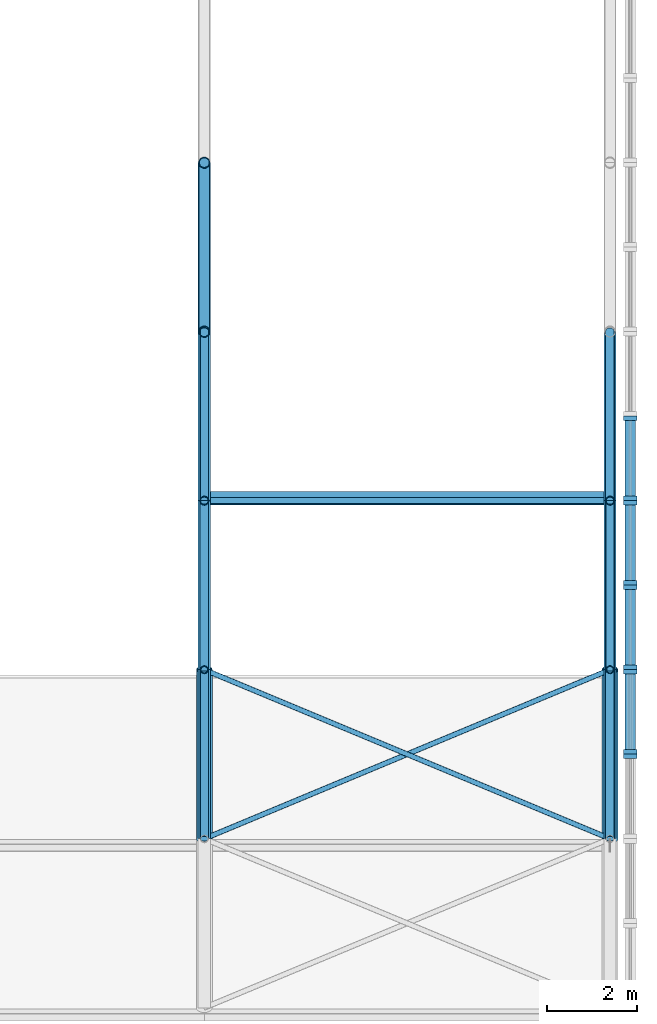
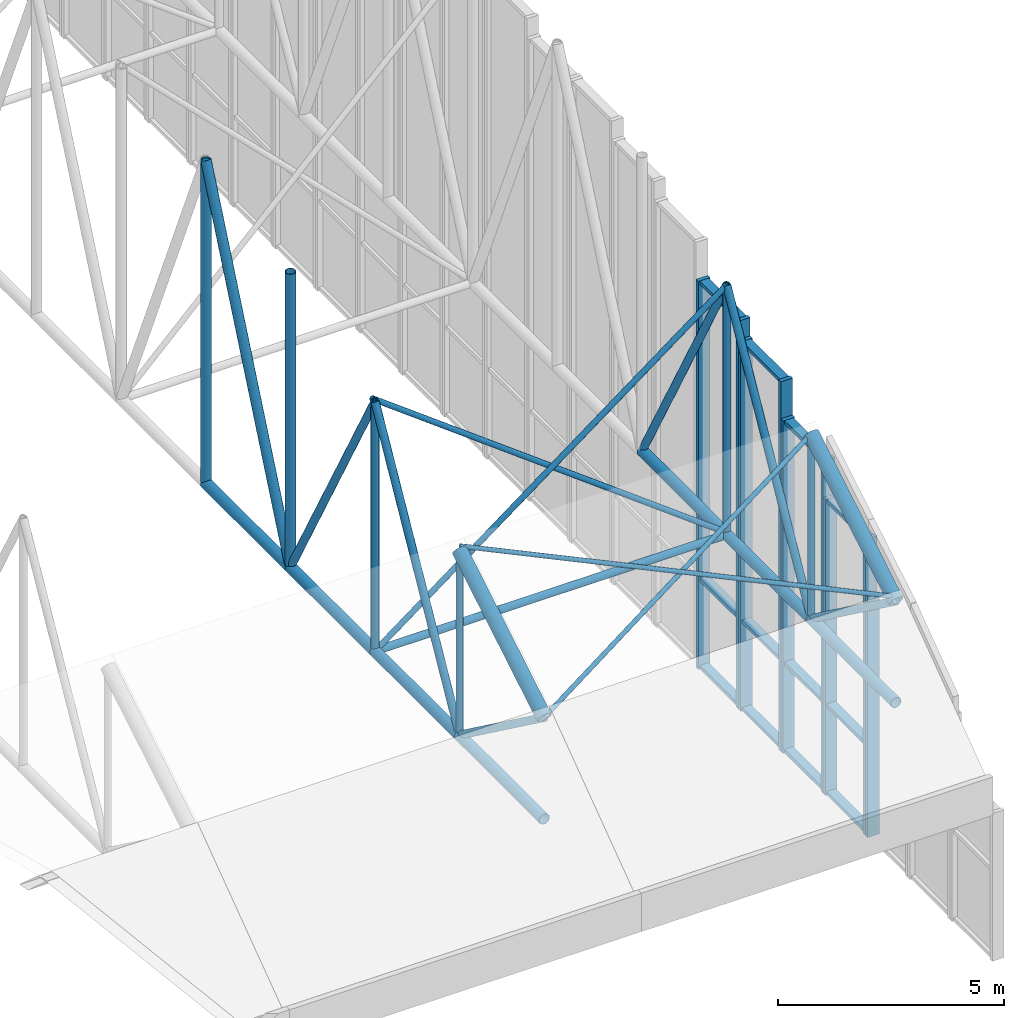
# One storey, part 63 of 153: 48 members, 5 elements without a shape of their own.
"""IFC4 building model written with IfcOpenShell, lengths in metres."""

from ifc_helpers import new_model, si_unit, direction, frame, origin, origin_2d, place, context, subcontext, project, spatial, rectangle, hollow_circle, extrude, material, material_profile, profile_set, type_object, element, aggregate, save


model = new_model("IFC4")

# Units and contexts
model_context = context("Model", 3, precision=1e-05, world=origin(), true_north=direction((0.0, 1.0)))
body_context = subcontext(model_context, "Body", "Model", "MODEL_VIEW")
ifc_project = project(units=[si_unit("LENGTHUNIT", "METRE"), si_unit("AREAUNIT", "SQUARE_METRE"), si_unit("VOLUMEUNIT", "CUBIC_METRE"), si_unit("PLANEANGLEUNIT", "RADIAN"), si_unit("MASSUNIT", "GRAM", prefix="KILO")], contexts=[model_context])

# Site, building, storey
site_placement = place(None, origin())
site = spatial("IfcSite", under=ifc_project, at=site_placement, CompositionType="ELEMENT")
building_placement = place(site_placement, origin())
building = spatial("IfcBuilding", under=site, at=building_placement, Name="Baradari Gate Terminus", CompositionType="ELEMENT")
storey_placement = place(building_placement, frame((0.0, 0.0, 11.699951171875)))
storey = spatial("IfcBuildingStorey", under=building, at=storey_placement, Name="L02", CompositionType="ELEMENT", Elevation=11.699951171875)

# Curtain wall, member
ifc_material_1 = material(Name="Aluminium 6063-T6", Category="aluminium")
curtain_wall_type_1 = type_object("IfcCurtainWallType", Name="Curtain wall CW-16 gable screen, other height", PredefinedType="NOTDEFINED", material=ifc_material_1)
curtain_wall_1_placement = place(storey_placement, origin())
curtain_wall_1 = element("IfcCurtainWall", 1, at=curtain_wall_1_placement, inside=storey, type_object=curtain_wall_type_1, Name="Gable glazing curtain wall CW-16 cell 02a", PredefinedType="NOTDEFINED")
ifc_material_2 = material(Name="Aluminium 6063-T6", Category="aluminium")
ifc_material_profile_1 = material_profile(ifc_material_2, rectangle(XDim=0.300048828125, YDim=0.10009765625, at=origin_2d()), Name="CM-16 100X300")
ifc_profile_set_1 = profile_set([ifc_material_profile_1], Name="Aluminium 6063-T6")
member_type_1 = type_object("IfcMemberType", Name="Curtain wall mullion CM-16 100x300", PredefinedType="MULLION", material=ifc_profile_set_1)
member_1_placement = place(storey_placement, frame((243.449951171875, 41.574951171875, -4.699951171875), z_axis=(0.0, 0.0, 1.0), x_axis=(-1.0, 0.0, 0.0)))
member_1 = element("IfcMember", 2, at=member_1_placement, type_object=member_type_1, Name="CW-16 mullion 2", PredefinedType="MULLION", context=body_context, shape_type="SweptSolid", body=[
    extrude(rectangle(XDim=0.300048828125, YDim=0.10009765625, at=origin_2d()), origin(), (0.0, 0.0, 1.0), 6.5),
])
aggregate(curtain_wall_1, [member_1])

# Curtain wall, members
ifc_material_3 = material(Name="Aluminium 6063-T6", Category="aluminium")
curtain_wall_type_2 = type_object("IfcCurtainWallType", Name="Curtain wall CW-17 gable screen, other height", PredefinedType="NOTDEFINED", material=ifc_material_3)
curtain_wall_2_placement = place(storey_placement, origin())
curtain_wall_2 = element("IfcCurtainWall", 3, at=curtain_wall_2_placement, inside=storey, type_object=curtain_wall_type_2, Name="Gable glazing curtain wall CW-17 cell 02b", PredefinedType="NOTDEFINED")
ifc_material_4 = material(Name="Aluminium 6063-T6", Category="aluminium")
ifc_material_profile_2 = material_profile(ifc_material_4, rectangle(XDim=0.300048828125, YDim=0.10009765625, at=origin_2d()), Name="CM-17 100X300")
ifc_profile_set_2 = profile_set([ifc_material_profile_2], Name="Aluminium 6063-T6")
member_type_2 = type_object("IfcMemberType", Name="Curtain wall mullion CM-17 100x300", PredefinedType="MULLION", material=ifc_profile_set_2)
member_2_placement = place(storey_placement, frame((243.449951171875, 41.675048828125, -4.699951171875), z_axis=(0.0, 0.0, 1.0), x_axis=(-1.0, 0.0, 0.0)))
member_2 = element("IfcMember", 4, at=member_2_placement, type_object=member_type_2, Name="CW-17 mullion 1", PredefinedType="MULLION", context=body_context, shape_type="SweptSolid", body=[
    extrude(rectangle(XDim=0.300048828125, YDim=0.10009765625, at=origin_2d()), origin(), (0.0, 0.0, 1.0), 8.0),
])
member_3_placement = place(storey_placement, frame((243.449951171875, 43.449951171875, -4.699951171875), z_axis=(0.0, 0.0, 1.0), x_axis=(-1.0, 0.0, 0.0)))
member_3 = element("IfcMember", 5, at=member_3_placement, type_object=member_type_2, Name="CW-17 mullion 2", PredefinedType="MULLION", context=body_context, shape_type="SweptSolid", body=[
    extrude(rectangle(XDim=0.300048828125, YDim=0.10009765625, at=origin_2d()), origin(), (0.0, 0.0, 1.0), 8.0),
])

ifc_material_5 = material(Name="Aluminium 6063-T6", Category="aluminium")
curtain_wall_type_3 = type_object("IfcCurtainWallType", Name="Curtain wall CW-18 gable screen, other height", PredefinedType="NOTDEFINED", material=ifc_material_5)
curtain_wall_3_placement = place(storey_placement, origin())
curtain_wall_3 = element("IfcCurtainWall", 6, at=curtain_wall_3_placement, inside=storey, type_object=curtain_wall_type_3, Name="Gable glazing curtain wall CW-18 cell 03a", PredefinedType="NOTDEFINED")
ifc_material_6 = material(Name="Aluminium 6063-T6", Category="aluminium")
ifc_material_profile_3 = material_profile(ifc_material_6, rectangle(XDim=0.300048828125, YDim=0.10009765625, at=origin_2d()), Name="CM-18 100X300")
ifc_profile_set_3 = profile_set([ifc_material_profile_3], Name="Aluminium 6063-T6")
member_type_3 = type_object("IfcMemberType", Name="Curtain wall mullion CM-18 100x300", PredefinedType="MULLION", material=ifc_profile_set_3)
member_4_placement = place(storey_placement, frame((243.449951171875, 43.550048828125, -4.699951171875), z_axis=(0.0, 0.0, 1.0), x_axis=(-1.0, 0.0, 0.0)))
member_4 = element("IfcMember", 7, at=member_4_placement, type_object=member_type_3, Name="CW-18 mullion 1", PredefinedType="MULLION", context=body_context, shape_type="SweptSolid", body=[
    extrude(rectangle(XDim=0.300048828125, YDim=0.10009765625, at=origin_2d()), origin(), (0.0, 0.0, 1.0), 9.0),
])
member_5_placement = place(storey_placement, frame((243.449951171875, 45.324951171875, -4.699951171875), z_axis=(0.0, 0.0, 1.0), x_axis=(-1.0, 0.0, 0.0)))
member_5 = element("IfcMember", 8, at=member_5_placement, type_object=member_type_3, Name="CW-18 mullion 2", PredefinedType="MULLION", context=body_context, shape_type="SweptSolid", body=[
    extrude(rectangle(XDim=0.300048828125, YDim=0.10009765625, at=origin_2d()), origin(), (0.0, 0.0, 1.0), 9.0),
])

ifc_material_7 = material(Name="Aluminium 6063-T6", Category="aluminium")
curtain_wall_type_4 = type_object("IfcCurtainWallType", Name="Curtain wall CW-19 gable screen, other height", PredefinedType="NOTDEFINED", material=ifc_material_7)
curtain_wall_4_placement = place(storey_placement, origin())
curtain_wall_4 = element("IfcCurtainWall", 9, at=curtain_wall_4_placement, inside=storey, type_object=curtain_wall_type_4, Name="Gable glazing curtain wall CW-19 cell 03b", PredefinedType="NOTDEFINED")
ifc_material_8 = material(Name="Aluminium 6063-T6", Category="aluminium")
ifc_material_profile_4 = material_profile(ifc_material_8, rectangle(XDim=0.300048828125, YDim=0.10009765625, at=origin_2d()), Name="CM-19 100X300")
ifc_profile_set_4 = profile_set([ifc_material_profile_4], Name="Aluminium 6063-T6")
member_type_4 = type_object("IfcMemberType", Name="Curtain wall mullion CM-19 100x300", PredefinedType="MULLION", material=ifc_profile_set_4)
member_6_placement = place(storey_placement, frame((243.449951171875, 45.425048828125, -4.699951171875), z_axis=(0.0, 0.0, 1.0), x_axis=(-1.0, 0.0, 0.0)))
member_6 = element("IfcMember", 10, at=member_6_placement, type_object=member_type_4, Name="CW-19 mullion 1", PredefinedType="MULLION", context=body_context, shape_type="SweptSolid", body=[
    extrude(rectangle(XDim=0.300048828125, YDim=0.10009765625, at=origin_2d()), origin(), (0.0, 0.0, 1.0), 10.0),
])
member_7_placement = place(storey_placement, frame((243.449951171875, 47.199951171875, -4.699951171875), z_axis=(0.0, 0.0, 1.0), x_axis=(-1.0, 0.0, 0.0)))
member_7 = element("IfcMember", 11, at=member_7_placement, type_object=member_type_4, Name="CW-19 mullion 2", PredefinedType="MULLION", context=body_context, shape_type="SweptSolid", body=[
    extrude(rectangle(XDim=0.300048828125, YDim=0.10009765625, at=origin_2d()), origin(), (0.0, 0.0, 1.0), 10.0),
])

ifc_material_9 = material(Name="Aluminium 6063-T6", Category="aluminium")
curtain_wall_type_5 = type_object("IfcCurtainWallType", Name="Curtain wall CW-20 gable screen, other height", PredefinedType="NOTDEFINED", material=ifc_material_9)
curtain_wall_5_placement = place(storey_placement, origin())
curtain_wall_5 = element("IfcCurtainWall", 12, at=curtain_wall_5_placement, inside=storey, type_object=curtain_wall_type_5, Name="Gable glazing curtain wall CW-20 cell 04a", PredefinedType="NOTDEFINED")
ifc_material_10 = material(Name="Aluminium 6063-T6", Category="aluminium")
ifc_material_profile_5 = material_profile(ifc_material_10, rectangle(XDim=0.300048828125, YDim=0.10009765625, at=origin_2d()), Name="CM-20 100X300")
ifc_profile_set_5 = profile_set([ifc_material_profile_5], Name="Aluminium 6063-T6")
member_type_5 = type_object("IfcMemberType", Name="Curtain wall mullion CM-20 100x300", PredefinedType="MULLION", material=ifc_profile_set_5)
member_8_placement = place(storey_placement, frame((243.449951171875, 47.300048828125, -4.699951171875), z_axis=(0.0, 0.0, 1.0), x_axis=(-1.0, 0.0, 0.0)))
member_8 = element("IfcMember", 13, at=member_8_placement, type_object=member_type_5, Name="CW-20 mullion 1", PredefinedType="MULLION", context=body_context, shape_type="SweptSolid", body=[
    extrude(rectangle(XDim=0.300048828125, YDim=0.10009765625, at=origin_2d()), origin(), (0.0, 0.0, 1.0), 10.5),
])
member_9_placement = place(storey_placement, frame((243.449951171875, 49.074951171875, -4.699951171875), z_axis=(0.0, 0.0, 1.0), x_axis=(-1.0, 0.0, 0.0)))
member_9 = element("IfcMember", 14, at=member_9_placement, type_object=member_type_5, Name="CW-20 mullion 2", PredefinedType="MULLION", context=body_context, shape_type="SweptSolid", body=[
    extrude(rectangle(XDim=0.300048828125, YDim=0.10009765625, at=origin_2d()), origin(), (0.0, 0.0, 1.0), 10.5),
])

# Member
ifc_material_11 = material(Name="Aluminium 6063-T6", Category="aluminium")
ifc_material_profile_6 = material_profile(ifc_material_11, rectangle(XDim=0.22509765625, YDim=0.10009765625, at=origin_2d()), Name="CT-17 100X225")
ifc_profile_set_6 = profile_set([ifc_material_profile_6], Name="Aluminium 6063-T6")
member_type_6 = type_object("IfcMemberType", Name="Curtain wall transom CT-17 100x225", PredefinedType="USERDEFINED", material=ifc_profile_set_6)
member_10_placement = place(storey_placement, frame((243.449951171875, 41.72509765625, -4.64990234375), z_axis=(0.0, 1.0, 0.0), x_axis=(-1.0, 0.0, 0.0)))
member_10 = element("IfcMember", 15, at=member_10_placement, type_object=member_type_6, Name="CW-17 transom 1.1", ObjectType="TRANSOM", PredefinedType="USERDEFINED", context=body_context, shape_type="SweptSolid", body=[
    extrude(rectangle(XDim=0.22509765625, YDim=0.10009765625, at=origin_2d()), origin(), (0.0, 0.0, 1.0), 1.6748046875),
])

member_11_placement = place(storey_placement, frame((243.449951171875, 41.72509765625, -2.28173828125), z_axis=(0.0, 1.0, 0.0), x_axis=(-1.0, 0.0, 0.0)))
member_11 = element("IfcMember", 16, at=member_11_placement, type_object=member_type_6, Name="CW-17 transom 1.2", ObjectType="TRANSOM", PredefinedType="USERDEFINED", context=body_context, shape_type="SweptSolid", body=[
    extrude(rectangle(XDim=0.22509765625, YDim=0.10009765625, at=origin_2d()), origin(), (0.0, 0.0, 1.0), 1.6748046875),
])

member_12_placement = place(storey_placement, frame((243.449951171875, 41.72509765625, 3.25), z_axis=(0.0, 1.0, 0.0), x_axis=(-1.0, 0.0, 0.0)))
member_12 = element("IfcMember", 17, at=member_12_placement, type_object=member_type_6, Name="CW-17 transom 1.3", ObjectType="TRANSOM", PredefinedType="USERDEFINED", context=body_context, shape_type="SweptSolid", body=[
    extrude(rectangle(XDim=0.22509765625, YDim=0.10009765625, at=origin_2d()), origin(), (0.0, 0.0, 1.0), 1.6748046875),
])

aggregate(curtain_wall_2, [member_2, member_3, member_10, member_11, member_12])

ifc_material_12 = material(Name="Aluminium 6063-T6", Category="aluminium")
ifc_material_profile_7 = material_profile(ifc_material_12, rectangle(XDim=0.22509765625, YDim=0.10009765625, at=origin_2d()), Name="CT-18 100X225")
ifc_profile_set_7 = profile_set([ifc_material_profile_7], Name="Aluminium 6063-T6")
member_type_7 = type_object("IfcMemberType", Name="Curtain wall transom CT-18 100x225", PredefinedType="USERDEFINED", material=ifc_profile_set_7)
member_13_placement = place(storey_placement, frame((243.449951171875, 43.60009765625, -4.64990234375), z_axis=(0.0, 1.0, 0.0), x_axis=(-1.0, 0.0, 0.0)))
member_13 = element("IfcMember", 18, at=member_13_placement, type_object=member_type_7, Name="CW-18 transom 1.1", ObjectType="TRANSOM", PredefinedType="USERDEFINED", context=body_context, shape_type="SweptSolid", body=[
    extrude(rectangle(XDim=0.22509765625, YDim=0.10009765625, at=origin_2d()), origin(), (0.0, 0.0, 1.0), 1.6748046875),
])

member_14_placement = place(storey_placement, frame((243.449951171875, 43.60009765625, -2.28173828125), z_axis=(0.0, 1.0, 0.0), x_axis=(-1.0, 0.0, 0.0)))
member_14 = element("IfcMember", 19, at=member_14_placement, type_object=member_type_7, Name="CW-18 transom 1.2", ObjectType="TRANSOM", PredefinedType="USERDEFINED", context=body_context, shape_type="SweptSolid", body=[
    extrude(rectangle(XDim=0.22509765625, YDim=0.10009765625, at=origin_2d()), origin(), (0.0, 0.0, 1.0), 1.6748046875),
])

member_15_placement = place(storey_placement, frame((243.449951171875, 43.60009765625, 4.25), z_axis=(0.0, 1.0, 0.0), x_axis=(-1.0, 0.0, 0.0)))
member_15 = element("IfcMember", 20, at=member_15_placement, type_object=member_type_7, Name="CW-18 transom 1.3", ObjectType="TRANSOM", PredefinedType="USERDEFINED", context=body_context, shape_type="SweptSolid", body=[
    extrude(rectangle(XDim=0.22509765625, YDim=0.10009765625, at=origin_2d()), origin(), (0.0, 0.0, 1.0), 1.6748046875),
])

aggregate(curtain_wall_3, [member_4, member_5, member_13, member_14, member_15])

ifc_material_13 = material(Name="Aluminium 6063-T6", Category="aluminium")
ifc_material_profile_8 = material_profile(ifc_material_13, rectangle(XDim=0.22509765625, YDim=0.10009765625, at=origin_2d()), Name="CT-19 100X225")
ifc_profile_set_8 = profile_set([ifc_material_profile_8], Name="Aluminium 6063-T6")
member_type_8 = type_object("IfcMemberType", Name="Curtain wall transom CT-19 100x225", PredefinedType="USERDEFINED", material=ifc_profile_set_8)
member_16_placement = place(storey_placement, frame((243.449951171875, 45.47509765625, -4.64990234375), z_axis=(0.0, 1.0, 0.0), x_axis=(-1.0, 0.0, 0.0)))
member_16 = element("IfcMember", 21, at=member_16_placement, type_object=member_type_8, Name="CW-19 transom 1.1", ObjectType="TRANSOM", PredefinedType="USERDEFINED", context=body_context, shape_type="SweptSolid", body=[
    extrude(rectangle(XDim=0.22509765625, YDim=0.10009765625, at=origin_2d()), origin(), (0.0, 0.0, 1.0), 1.6748046875),
])

member_17_placement = place(storey_placement, frame((243.449951171875, 45.47509765625, -2.28173828125), z_axis=(0.0, 1.0, 0.0), x_axis=(-1.0, 0.0, 0.0)))
member_17 = element("IfcMember", 22, at=member_17_placement, type_object=member_type_8, Name="CW-19 transom 1.2", ObjectType="TRANSOM", PredefinedType="USERDEFINED", context=body_context, shape_type="SweptSolid", body=[
    extrude(rectangle(XDim=0.22509765625, YDim=0.10009765625, at=origin_2d()), origin(), (0.0, 0.0, 1.0), 1.6748046875),
])

member_18_placement = place(storey_placement, frame((243.449951171875, 45.47509765625, 5.25), z_axis=(0.0, 1.0, 0.0), x_axis=(-1.0, 0.0, 0.0)))
member_18 = element("IfcMember", 23, at=member_18_placement, type_object=member_type_8, Name="CW-19 transom 1.3", ObjectType="TRANSOM", PredefinedType="USERDEFINED", context=body_context, shape_type="SweptSolid", body=[
    extrude(rectangle(XDim=0.22509765625, YDim=0.10009765625, at=origin_2d()), origin(), (0.0, 0.0, 1.0), 1.6748046875),
])

aggregate(curtain_wall_4, [member_6, member_7, member_16, member_17, member_18])

ifc_material_14 = material(Name="Aluminium 6063-T6", Category="aluminium")
ifc_material_profile_9 = material_profile(ifc_material_14, rectangle(XDim=0.22509765625, YDim=0.10009765625, at=origin_2d()), Name="CT-20 100X225")
ifc_profile_set_9 = profile_set([ifc_material_profile_9], Name="Aluminium 6063-T6")
member_type_9 = type_object("IfcMemberType", Name="Curtain wall transom CT-20 100x225", PredefinedType="USERDEFINED", material=ifc_profile_set_9)
member_19_placement = place(storey_placement, frame((243.449951171875, 47.35009765625, -4.64990234375), z_axis=(0.0, 1.0, 0.0), x_axis=(-1.0, 0.0, 0.0)))
member_19 = element("IfcMember", 24, at=member_19_placement, type_object=member_type_9, Name="CW-20 transom 1.1", ObjectType="TRANSOM", PredefinedType="USERDEFINED", context=body_context, shape_type="SweptSolid", body=[
    extrude(rectangle(XDim=0.22509765625, YDim=0.10009765625, at=origin_2d()), origin(), (0.0, 0.0, 1.0), 1.6748046875),
])

member_20_placement = place(storey_placement, frame((243.449951171875, 47.35009765625, -2.28173828125), z_axis=(0.0, 1.0, 0.0), x_axis=(-1.0, 0.0, 0.0)))
member_20 = element("IfcMember", 25, at=member_20_placement, type_object=member_type_9, Name="CW-20 transom 1.2", ObjectType="TRANSOM", PredefinedType="USERDEFINED", context=body_context, shape_type="SweptSolid", body=[
    extrude(rectangle(XDim=0.22509765625, YDim=0.10009765625, at=origin_2d()), origin(), (0.0, 0.0, 1.0), 1.6748046875),
])

member_21_placement = place(storey_placement, frame((243.449951171875, 47.35009765625, 5.75), z_axis=(0.0, 1.0, 0.0), x_axis=(-1.0, 0.0, 0.0)))
member_21 = element("IfcMember", 26, at=member_21_placement, type_object=member_type_9, Name="CW-20 transom 1.3", ObjectType="TRANSOM", PredefinedType="USERDEFINED", context=body_context, shape_type="SweptSolid", body=[
    extrude(rectangle(XDim=0.22509765625, YDim=0.10009765625, at=origin_2d()), origin(), (0.0, 0.0, 1.0), 1.6748046875),
])

aggregate(curtain_wall_5, [member_8, member_9, member_19, member_20, member_21])

# Members
ifc_material_15 = material(Name="Steel S355", Category="steel")
ifc_material_profile_10 = material_profile(ifc_material_15, hollow_circle(Radius=0.136474609375, WallThickness=0.012451171875, at=origin_2d()), Name="CHS 273x12.5")
ifc_profile_set_10 = profile_set([ifc_material_profile_10], Name="Steel S355")
member_type_10 = type_object("IfcMemberType", Name="Shed bottom chord CHS 273x12.5", PredefinedType="CHORD", material=ifc_profile_set_10)
for number, where, z_axis, x_axis, name in (
    (27, (234.0, 39.75, 0.136474609375), (0.0, 1.0, 0.0), (-1.0, 0.0, 0.0), "TR/L02/S234-BC01"),
    (28, (234.0, 43.5, 0.136474609375), (0.0, 1.0, 0.0), (-1.0, 0.0, 0.0), "TR/L02/S234-BC02"),
    (29, (234.0, 47.25, 0.136474609375), (0.0, 1.0, 0.0), (-1.0, 0.0, 0.0), "TR/L02/S234-BC03"),
    (30, (234.0, 51.0, 0.136474609375), (0.0, 1.0, 0.0), (-1.0, 0.0, 0.0), "TR/L02/S234-BC04"),
    (31, (243.0, 39.75, 0.136474609375), (0.0, 1.0, 0.0), (-1.0, 0.0, 0.0), "TR/L02/S243-BC01"),
    (32, (243.0, 43.5, 0.136474609375), (0.0, 1.0, 0.0), (-1.0, 0.0, 0.0), "TR/L02/S243-BC02"),
    (33, (243.0, 47.25, 0.136474609375), (0.0, 1.0, 0.0), (-1.0, 0.0, 0.0), "TR/L02/S243-BC03"),
):
    element("IfcMember", number, at=place(storey_placement, frame(where, z_axis=z_axis, x_axis=x_axis)), inside=storey, type_object=member_type_10, Name=name, PredefinedType="CHORD", context=body_context, shape_type="SweptSolid", body=[
        extrude(hollow_circle(Radius=0.136474609375, WallThickness=0.012451171875, at=origin_2d()), origin(), (0.0, 0.0, 1.0), 3.75),
    ])
ifc_material_16 = material(Name="Steel S355", Category="steel")
ifc_material_profile_11 = material_profile(ifc_material_16, hollow_circle(Radius=0.096923828125, WallThickness=0.008056640625, at=origin_2d()), Name="CHS 193.7x8")
ifc_profile_set_11 = profile_set([ifc_material_profile_11], Name="Steel S355")
member_type_11 = type_object("IfcMemberType", Name="Shed bottom strut CHS 193.7x8", PredefinedType="STRUT", material=ifc_profile_set_11)
member_22_placement = place(storey_placement, frame((234.0, 47.25, 0.136474609375), z_axis=(1.0, 0.0, 0.0), x_axis=(0.0, 1.0, 0.0)))
element("IfcMember", 34, at=member_22_placement, inside=storey, type_object=member_type_11, Name="TR/L02/B243-ST03", PredefinedType="STRUT", context=body_context, shape_type="SweptSolid", body=[
    extrude(hollow_circle(Radius=0.096923828125, WallThickness=0.008056640625, at=origin_2d()), origin(), (0.0, 0.0, 1.0), 9.0),
])
ifc_material_17 = material(Name="Steel S355", Category="steel")
ifc_material_profile_12 = material_profile(ifc_material_17, hollow_circle(Radius=0.05712890625, WallThickness=0.00634765625, at=origin_2d()), Name="CHS 114.3x6.3")
ifc_profile_set_12 = profile_set([ifc_material_profile_12], Name="Steel S355")
member_type_12 = type_object("IfcMemberType", Name="Shed roof brace CHS 114.3x6.3", PredefinedType="BRACE", material=ifc_profile_set_12)
for number, where, z_axis, x_axis, name in (
    (35, (234.0, 39.75, 2.886474609375), (0.899438026795, 0.374765844498, 0.224859506699), (-0.384615384615, 0.923076923077, 0.0), "TR/L02/B243-RB01A"),
    (36, (243.0, 39.75, 3.000732421875), (-0.899438026795, 0.374765844498, 0.224859506699), (-0.384615384615, -0.923076923077, 0.0), "TR/L02/B243-RB01B"),
):
    element("IfcMember", number, at=place(storey_placement, frame(where, z_axis=z_axis, x_axis=x_axis)), inside=storey, type_object=member_type_12, Name=name, PredefinedType="BRACE", context=body_context, shape_type="SweptSolid", body=[
        extrude(hollow_circle(Radius=0.05712890625, WallThickness=0.00634765625, at=origin_2d()), origin(), (0.0, 0.0, 1.0), 10.00634765625),
    ])
ifc_material_18 = material(Name="Steel S355", Category="steel")
ifc_material_profile_13 = material_profile(ifc_material_18, hollow_circle(Radius=0.177734375, WallThickness=0.01611328125, at=origin_2d()), Name="CHS 355.6x16")
ifc_profile_set_13 = profile_set([ifc_material_profile_13], Name="Steel S355")
member_type_13 = type_object("IfcMemberType", Name="Shed top chord CHS 355.6x16", PredefinedType="CHORD", material=ifc_profile_set_13)
for number, where, z_axis, x_axis, name in (
    (37, (234.0, 39.75, 2.886474609375), (0.0, 0.857492925713, 0.514495755428), (-1.0, 0.0, 0.0), "TR/L02/S234-TC01"),
    (38, (243.0, 39.75, 2.886474609375), (0.0, 0.857492925713, 0.514495755428), (-1.0, 0.0, 0.0), "TR/L02/S243-TC01"),
):
    element("IfcMember", number, at=place(storey_placement, frame(where, z_axis=z_axis, x_axis=x_axis)), inside=storey, type_object=member_type_13, Name=name, PredefinedType="CHORD", context=body_context, shape_type="SweptSolid", body=[
        extrude(hollow_circle(Radius=0.177734375, WallThickness=0.01611328125, at=origin_2d()), origin(), (0.0, 0.0, 1.0), 4.373291015625),
    ])
ifc_material_19 = material(Name="Steel S355", Category="steel")
ifc_material_profile_14 = material_profile(ifc_material_19, hollow_circle(Radius=0.096923828125, WallThickness=0.008056640625, at=origin_2d()), Name="CHS 193.7x8")
ifc_profile_set_14 = profile_set([ifc_material_profile_14], Name="Steel S355")
member_type_14 = type_object("IfcMemberType", Name="Shed truss diagonal CHS 193.7x8", PredefinedType="BRACE", material=ifc_profile_set_14)
member_23_placement = place(storey_placement, frame((234.0, 39.75, 2.886474609375), z_axis=(0.0, 0.806404995856, -0.591363663628), x_axis=(-1.0, 0.0, 0.0)))
element("IfcMember", 39, at=member_23_placement, inside=storey, type_object=member_type_14, Name="TR/L02/S234-SD01", PredefinedType="BRACE", context=body_context, shape_type="SweptSolid", body=[
    extrude(hollow_circle(Radius=0.096923828125, WallThickness=0.008056640625, at=origin_2d()), origin(), (0.0, 0.0, 1.0), 4.650390625),
])
for number, where, z_axis, x_axis, name in (
    (40, (234.0, 47.25, 6.886474609375), (0.0, -0.485642931179, -0.874157276122), (1.0, 0.0, 0.0), "TR/L02/S234-SD02"),
    (41, (234.0, 47.25, 6.886474609375), (0.0, 0.485642931179, -0.874157276122), (-1.0, 0.0, 0.0), "TR/L02/S234-SD03"),
):
    element("IfcMember", number, at=place(storey_placement, frame(where, z_axis=z_axis, x_axis=x_axis)), inside=storey, type_object=member_type_14, Name=name, PredefinedType="BRACE", context=body_context, shape_type="SweptSolid", body=[
        extrude(hollow_circle(Radius=0.096923828125, WallThickness=0.008056640625, at=origin_2d()), origin(), (0.0, 0.0, 1.0), 7.7216796875),
    ])
member_24_placement = place(storey_placement, frame((243.0, 39.75, 2.886474609375), z_axis=(0.0, 0.806404995856, -0.591363663628), x_axis=(-1.0, 0.0, 0.0)))
element("IfcMember", 42, at=member_24_placement, inside=storey, type_object=member_type_14, Name="TR/L02/S243-SD01", PredefinedType="BRACE", context=body_context, shape_type="SweptSolid", body=[
    extrude(hollow_circle(Radius=0.096923828125, WallThickness=0.008056640625, at=origin_2d()), origin(), (0.0, 0.0, 1.0), 4.650390625),
])
for number, where, z_axis, x_axis, name in (
    (43, (243.0, 47.25, 6.886474609375), (0.0, -0.485642931179, -0.874157276122), (1.0, 0.0, 0.0), "TR/L02/S243-SD02"),
    (44, (243.0, 47.25, 6.886474609375), (0.0, 0.485642931179, -0.874157276122), (-1.0, 0.0, 0.0), "TR/L02/S243-SD03"),
):
    element("IfcMember", number, at=place(storey_placement, frame(where, z_axis=z_axis, x_axis=x_axis)), inside=storey, type_object=member_type_14, Name=name, PredefinedType="BRACE", context=body_context, shape_type="SweptSolid", body=[
        extrude(hollow_circle(Radius=0.096923828125, WallThickness=0.008056640625, at=origin_2d()), origin(), (0.0, 0.0, 1.0), 7.7216796875),
    ])
ifc_material_20 = material(Name="Steel S355", Category="steel")
ifc_material_profile_15 = material_profile(ifc_material_20, hollow_circle(Radius=0.122314453125, WallThickness=0.010009765625, at=origin_2d()), Name="CHS 244.5x10")
ifc_profile_set_15 = profile_set([ifc_material_profile_15], Name="Steel S355")
member_type_15 = type_object("IfcMemberType", Name="Shed truss diagonal CHS 244.5x10", PredefinedType="BRACE", material=ifc_profile_set_15)
member_25_placement = place(storey_placement, frame((234.0, 54.75, 8.886474609375), z_axis=(0.0, -0.393919298579, -0.919145030018), x_axis=(1.0, 0.0, 0.0)))
element("IfcMember", 45, at=member_25_placement, inside=storey, type_object=member_type_15, Name="TR/L02/S234-SD04", PredefinedType="BRACE", context=body_context, shape_type="SweptSolid", body=[
    extrude(hollow_circle(Radius=0.122314453125, WallThickness=0.010009765625, at=origin_2d()), origin(), (0.0, 0.0, 1.0), 9.519775390625),
])
ifc_material_21 = material(Name="Steel S355", Category="steel")
ifc_material_profile_16 = material_profile(ifc_material_21, hollow_circle(Radius=0.084228515625, WallThickness=0.008056640625, at=origin_2d()), Name="CHS 168.3x8")
ifc_profile_set_16 = profile_set([ifc_material_profile_16], Name="Steel S355")
member_type_16 = type_object("IfcMemberType", Name="Shed truss post CHS 168.3x8", PredefinedType="POST", material=ifc_profile_set_16)
for number, where, z_axis, x_axis, name in (
    (46, (234.0, 43.5, 0.136474609375), (0.0, 0.0, 1.0), (1.0, 0.0, 0.0), "TR/L02/S234-SP02"),
    (47, (243.0, 43.5, 0.136474609375), (0.0, 0.0, 1.0), (1.0, 0.0, 0.0), "TR/L02/S243-SP02"),
):
    element("IfcMember", number, at=place(storey_placement, frame(where, z_axis=z_axis, x_axis=x_axis)), inside=storey, type_object=member_type_16, Name=name, PredefinedType="POST", context=body_context, shape_type="SweptSolid", body=[
        extrude(hollow_circle(Radius=0.084228515625, WallThickness=0.008056640625, at=origin_2d()), origin(), (0.0, 0.0, 1.0), 5.0),
    ])
ifc_material_22 = material(Name="Steel S355", Category="steel")
ifc_material_profile_17 = material_profile(ifc_material_22, hollow_circle(Radius=0.096923828125, WallThickness=0.008056640625, at=origin_2d()), Name="CHS 193.7x8")
ifc_profile_set_17 = profile_set([ifc_material_profile_17], Name="Steel S355")
member_type_17 = type_object("IfcMemberType", Name="Shed truss post CHS 193.7x8", PredefinedType="POST", material=ifc_profile_set_17)
for number, where, z_axis, x_axis, name in (
    (48, (234.0, 47.25, 0.136474609375), (0.0, 0.0, 1.0), (1.0, 0.0, 0.0), "TR/L02/S234-SP03"),
    (49, (243.0, 47.25, 0.136474609375), (0.0, 0.0, 1.0), (1.0, 0.0, 0.0), "TR/L02/S243-SP03"),
):
    element("IfcMember", number, at=place(storey_placement, frame(where, z_axis=z_axis, x_axis=x_axis)), inside=storey, type_object=member_type_17, Name=name, PredefinedType="POST", context=body_context, shape_type="SweptSolid", body=[
        extrude(hollow_circle(Radius=0.096923828125, WallThickness=0.008056640625, at=origin_2d()), origin(), (0.0, 0.0, 1.0), 6.75),
    ])
ifc_material_23 = material(Name="Steel S355", Category="steel")
ifc_material_profile_18 = material_profile(ifc_material_23, hollow_circle(Radius=0.122314453125, WallThickness=0.010009765625, at=origin_2d()), Name="CHS 244.5x10")
ifc_profile_set_18 = profile_set([ifc_material_profile_18], Name="Steel S355")
member_type_18 = type_object("IfcMemberType", Name="Shed truss post CHS 244.5x10", PredefinedType="POST", material=ifc_profile_set_18)
member_26_placement = place(storey_placement, frame((234.0, 51.0, 0.136474609375), z_axis=(0.0, 0.0, 1.0), x_axis=(1.0, 0.0, 0.0)))
element("IfcMember", 50, at=member_26_placement, inside=storey, type_object=member_type_18, Name="TR/L02/S234-SP04", PredefinedType="POST", context=body_context, shape_type="SweptSolid", body=[
    extrude(hollow_circle(Radius=0.122314453125, WallThickness=0.010009765625, at=origin_2d()), origin(), (0.0, 0.0, 1.0), 8.0),
])
member_27_placement = place(storey_placement, frame((234.0, 54.75, 0.136474609375), z_axis=(0.0, 0.0, 1.0), x_axis=(1.0, 0.0, 0.0)))
element("IfcMember", 51, at=member_27_placement, inside=storey, type_object=member_type_18, Name="TR/L02/S234-SP05", PredefinedType="POST", context=body_context, shape_type="SweptSolid", body=[
    extrude(hollow_circle(Radius=0.122314453125, WallThickness=0.010009765625, at=origin_2d()), origin(), (0.0, 0.0, 1.0), 8.75),
])
ifc_material_24 = material(Name="Steel S355", Category="steel")
ifc_material_profile_19 = material_profile(ifc_material_24, hollow_circle(Radius=0.06982421875, WallThickness=0.008056640625, at=origin_2d()), Name="CHS 139.7x8")
ifc_profile_set_19 = profile_set([ifc_material_profile_19], Name="Steel S355")
member_type_19 = type_object("IfcMemberType", Name="Shed vertical brace CHS 139.7x8", PredefinedType="BRACE", material=ifc_profile_set_19)
for number, where, z_axis, x_axis, name in (
    (52, (234.0, 47.25, 0.136474609375), (0.8, 0.0, 0.6), (0.0, 1.0, 0.0), "TR/L02/B243-VB03A"),
    (53, (234.0, 47.3896484375, 6.886474609375), (0.8, 0.0, -0.6), (0.0, 1.0, 0.0), "TR/L02/B243-VB03B"),
):
    element("IfcMember", number, at=place(storey_placement, frame(where, z_axis=z_axis, x_axis=x_axis)), inside=storey, type_object=member_type_19, Name=name, PredefinedType="BRACE", context=body_context, shape_type="SweptSolid", body=[
        extrude(hollow_circle(Radius=0.06982421875, WallThickness=0.008056640625, at=origin_2d()), origin(), (0.0, 0.0, 1.0), 11.25),
    ])

save(model, "model.ifc")
